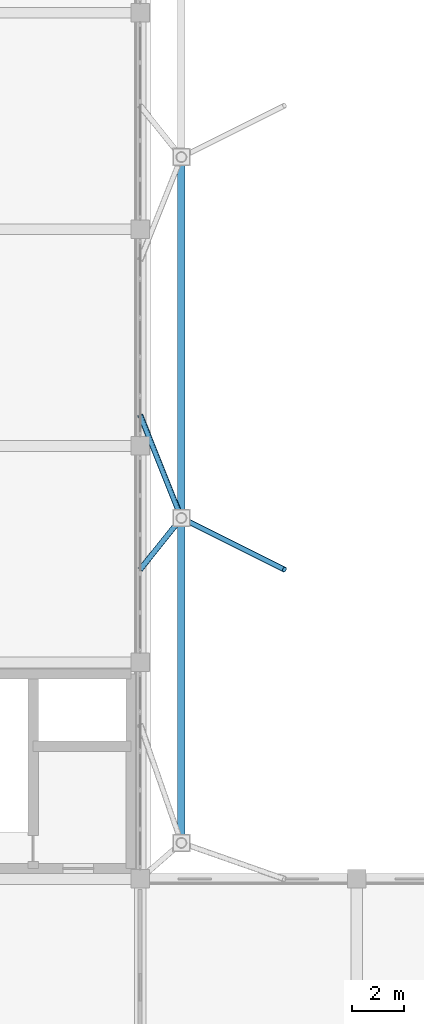
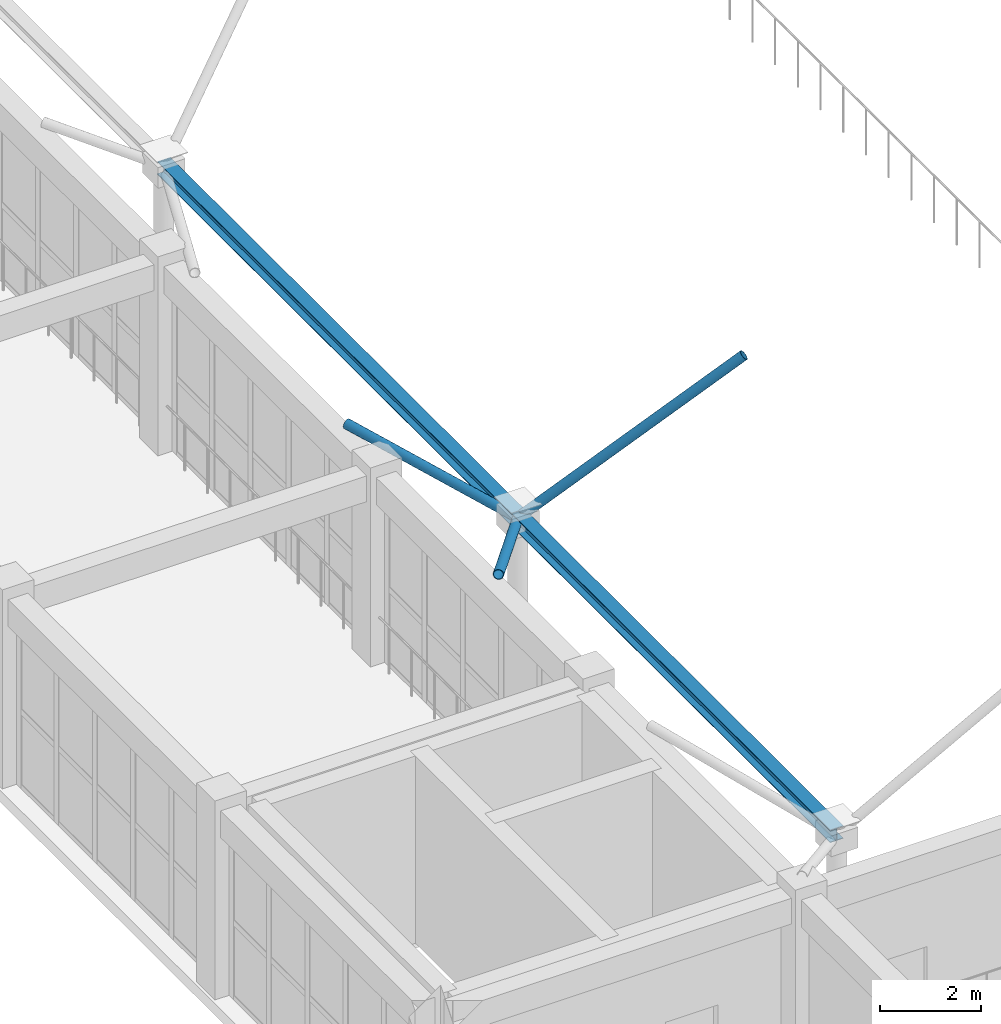
# One storey, part 95 of 158: 3 members, 2 beams.
"""IFC4 building model written with IfcOpenShell, lengths in metres."""

import ifcopenshell
import ifcopenshell.guid

model = None  # the IFC model being written
_history = None  # IfcOwnerHistory: only IFC2X3 demands one
_inside = {}  # id of a spatial element -> (the spatial element, [elements in it])
_under = {}  # id of a project, library or spatial element -> (it, [spatial elements below it])
_declared = {}  # id of a project -> (the project, [libraries it declares])
_typed = {}  # id of a type object -> (the type object, [elements of that type])
_made_of = {}  # id of a material, layer set ... -> (it, [elements and type objects made of it])


def new_model(schema):
    """Start an empty IFC model of exactly this schema.

    Asked for "IFC4X3", IfcOpenShell would pick the latest addendum, in which some entities
    have other attributes; the version numbers below select the first issue.
    IFC2X3 requires an IfcOwnerHistory on every rooted entity: one is made here for all.
    """
    global model, _history
    if schema == "IFC4X3":
        model = ifcopenshell.file(schema_version=(4, 3, 0, 0))
    else:
        model = ifcopenshell.file(schema=schema)
    _inside.clear()
    _under.clear()
    _declared.clear()
    _typed.clear()
    _made_of.clear()
    _history = None
    if model.schema == "IFC2X3":
        org = make("IfcOrganization", Name="unknown")
        user = make(
            "IfcPersonAndOrganization",
            ThePerson=make("IfcPerson", FamilyName="unknown"),
            TheOrganization=org,
        )
        app = make(
            "IfcApplication",
            ApplicationDeveloper=org,
            Version="unknown",
            ApplicationFullName="unknown",
            ApplicationIdentifier="unknown",
        )
        _history = make(
            "IfcOwnerHistory",
            OwningUser=user,
            OwningApplication=app,
            ChangeAction="ADDED",
            CreationDate=0,
        )
    return model


def make(cls, **values):
    """One entity of the class cls with the attributes given. An attribute that is None is left unset."""
    return model.create_entity(
        cls, **{name: value for name, value in values.items() if value is not None}
    )


def rooted(cls, **values):
    """An entity with a GlobalId (a new one), such as an element, a storey or a relation."""
    return make(cls, GlobalId=ifcopenshell.guid.new(), OwnerHistory=_history, **values)


def si_unit(unit_type, name, prefix=None):
    """IfcSIUnit, for example si_unit("LENGTHUNIT", "METRE", prefix="MILLI")."""
    return make("IfcSIUnit", UnitType=unit_type, Prefix=prefix, Name=name)


def assignment(units):
    """IfcUnitAssignment: the units of a project."""
    return None if units is None else make("IfcUnitAssignment", Units=units)


def point(xyz):
    """IfcCartesianPoint."""
    return None if xyz is None else make("IfcCartesianPoint", Coordinates=xyz)


def direction(xyz):
    """IfcDirection."""
    return None if xyz is None else make("IfcDirection", DirectionRatios=xyz)


def frame(location, z_axis=None, x_axis=None):
    """IfcAxis2Placement3D, a coordinate frame: its origin and axes. An axis left out is left unset."""
    return make(
        "IfcAxis2Placement3D",
        Location=point(location),
        Axis=direction(z_axis),
        RefDirection=direction(x_axis),
    )


def frame_2d(location, x_axis=None):
    """IfcAxis2Placement2D, a coordinate frame in the plane: its origin and x axis."""
    return make(
        "IfcAxis2Placement2D", Location=point(location), RefDirection=direction(x_axis)
    )


def origin():
    """The frame at (0, 0, 0) with its axes left unset."""
    return frame((0.0, 0.0, 0.0))


def origin_2d():
    """The frame at (0, 0) in the plane with its x axis left unset."""
    return frame_2d((0.0, 0.0))


def place(relative_to, where):
    """IfcLocalPlacement: puts the frame where relative to a parent placement (None: the world)."""
    return make(
        "IfcLocalPlacement", PlacementRelTo=relative_to, RelativePlacement=where
    )


def context(
    kind, dimensions, precision=None, world=None, true_north=None, identifier=None
):
    """IfcGeometricRepresentationContext, for example the 3D "Model" context."""
    return make(
        "IfcGeometricRepresentationContext",
        ContextIdentifier=identifier,
        ContextType=kind,
        CoordinateSpaceDimension=dimensions,
        Precision=precision,
        WorldCoordinateSystem=world,
        TrueNorth=true_north,
    )


def subcontext(parent, identifier, kind, view, scale=None):
    """IfcGeometricRepresentationSubContext, for example "Body" below "Model"."""
    return make(
        "IfcGeometricRepresentationSubContext",
        ContextIdentifier=identifier,
        ContextType=kind,
        ParentContext=parent,
        TargetScale=scale,
        TargetView=view,
    )


def project(units=None, contexts=None):
    """IfcProject with its units and contexts."""
    return rooted(
        "IfcProject",
        Name="project",
        RepresentationContexts=contexts,
        UnitsInContext=assignment(units),
    )


def spatial(cls, under=None, at=None, **own):
    """A site, building, storey or space (cls), placed at a placement, below another one or the project."""
    s = rooted(cls, ObjectPlacement=at, **own)
    if under is not None:
        _under.setdefault(under.id(), (under, []))[1].append(s)
    return s


def profile(cls, at=None, kind="AREA", **sizes):
    """A parametric profile (cls). Its sizes go by their IFC names, for example OverallWidth=200.0."""
    return make(cls, ProfileType=kind, Position=at, **sizes)


def hollow_circle(**sizes):
    """IfcCircleHollowProfileDef."""
    return profile("IfcCircleHollowProfileDef", **sizes)


def i_section(**sizes):
    """IfcIShapeProfileDef."""
    return profile("IfcIShapeProfileDef", **sizes)


def extrude(swept, where, along, depth):
    """IfcExtrudedAreaSolid: the profile swept, set in the frame where, extruded along a direction by depth."""
    return make(
        "IfcExtrudedAreaSolid",
        SweptArea=swept,
        Position=where,
        ExtrudedDirection=direction(along),
        Depth=depth,
    )


def shape(context_of_items, identifier, shape_type, items):
    """IfcShapeRepresentation: the items that make up one representation, for example the "Body"."""
    return make(
        "IfcShapeRepresentation",
        ContextOfItems=context_of_items,
        RepresentationIdentifier=identifier,
        RepresentationType=shape_type,
        Items=items,
    )


def material(Name=None, Category=None):
    """IfcMaterial."""
    return make("IfcMaterial", Name=Name, Category=Category)


def material_profile(
    of_material, cross_section, Name=None, Category=None, Priority=None
):
    """IfcMaterialProfile: a cross section and its material."""
    return make(
        "IfcMaterialProfile",
        Name=Name,
        Material=of_material,
        Profile=cross_section,
        Priority=Priority,
        Category=Category,
    )


def profile_set(profiles, Name=None, composite=None):
    """IfcMaterialProfileSet."""
    return make(
        "IfcMaterialProfileSet",
        Name=Name,
        MaterialProfiles=profiles,
        CompositeProfile=composite,
    )


def made_of(thing, what):
    """Note that an element or type object is made of a material, layer set ...; save() writes the relation."""
    if what is not None:
        _made_of.setdefault(what.id(), (what, []))[1].append(thing)
    return thing


def type_object(cls, material=None, **own):
    """A type object (cls), such as IfcWallType, which elements share."""
    return made_of(rooted(cls, **own), material)


def element(
    cls,
    number,
    at=None,
    inside=None,
    cuts=None,
    type_object=None,
    material=None,
    context=None,
    identifier="Body",
    shape_type=None,
    held_by="IfcProductDefinitionShape",
    body=None,
    shapes=None,
    **own,
):
    """One element of the class cls, such as IfcWall. Its Tag is "e" and its number.

    at: its placement. inside: the storey or other place that contains it. cuts: it is an
    opening in that element (IfcRelVoidsElement). A single representation is given by context,
    identifier, shape_type and body (its items); several are given by shapes. held_by: the class
    of the entity that holds the representations. save() writes the other relations.
    """
    e = rooted(cls, Tag="e%d" % number, ObjectPlacement=at, **own)
    if body is not None:
        shapes = [shape(context, identifier, shape_type, body)]
    if shapes is not None:
        e.Representation = make(held_by, Representations=shapes)
    if inside is not None:
        _inside.setdefault(inside.id(), (inside, []))[1].append(e)
    if cuts is not None:
        rooted(
            "IfcRelVoidsElement", RelatingBuildingElement=cuts, RelatedOpeningElement=e
        )
    if type_object is not None:
        _typed.setdefault(type_object.id(), (type_object, []))[1].append(e)
    return made_of(e, material)


def aggregate(whole, parts):
    """IfcRelAggregates: a whole, such as a stair, and the parts it consists of."""
    return rooted("IfcRelAggregates", RelatingObject=whole, RelatedObjects=parts)


def save(model, path):
    """Write the relations noted so far, then the file.

    IfcRelAggregates (storeys below a building ...), IfcRelContainedInSpatialStructure (elements
    in a storey), IfcRelDefinesByType, IfcRelAssociatesMaterial and IfcRelDeclares: one each for
    every whole, place, type object, material and project.
    """
    for whole, parts in _under.values():
        aggregate(whole, parts)
    for where, things in _inside.values():
        rooted(
            "IfcRelContainedInSpatialStructure",
            RelatedElements=things,
            RelatingStructure=where,
        )
    for kind, things in _typed.values():
        rooted("IfcRelDefinesByType", RelatedObjects=things, RelatingType=kind)
    for what, things in _made_of.values():
        rooted("IfcRelAssociatesMaterial", RelatedObjects=things, RelatingMaterial=what)
    for by, libraries in _declared.values():
        rooted("IfcRelDeclares", RelatingContext=by, RelatedDefinitions=libraries)
    model.write(path)


model = new_model("IFC4")

# Units and contexts
model_context = context("Model", 3, precision=1e-05, world=origin(), true_north=direction((0.0, 1.0)))
body_context = subcontext(model_context, "Body", "Model", "MODEL_VIEW")
ifc_project = project(units=[si_unit("LENGTHUNIT", "METRE"), si_unit("AREAUNIT", "SQUARE_METRE"), si_unit("VOLUMEUNIT", "CUBIC_METRE"), si_unit("PLANEANGLEUNIT", "RADIAN"), si_unit("MASSUNIT", "GRAM", prefix="KILO")], contexts=[model_context])

# Site, building, storey
site_placement = place(None, origin())
site = spatial("IfcSite", under=ifc_project, at=site_placement, CompositionType="ELEMENT")
building_placement = place(site_placement, origin())
building = spatial("IfcBuilding", under=site, at=building_placement, Name="Trelvath General Hospital", CompositionType="ELEMENT")
storey_placement = place(building_placement, frame((0.0, 0.0, 8.10009765625)))
storey = spatial("IfcBuildingStorey", under=building, at=storey_placement, Name="L02", CompositionType="ELEMENT", Elevation=8.10009765625)

# Beams
ifc_material_1 = material(Name="Steel S355", Category="steel")
ifc_material_profile_1 = material_profile(ifc_material_1, i_section(OverallWidth=0.300048828125, OverallDepth=0.31005859375, WebThickness=0.009033203125, FlangeThickness=0.015380859375, at=origin_2d()), Name="HEA320")
ifc_profile_set_1 = profile_set([ifc_material_profile_1], Name="Steel S355")
beam_type = type_object("IfcBeamType", Name="RingBeam HEA320", PredefinedType="BEAM", material=ifc_profile_set_1)
beam_1_placement = place(storey_placement, frame((144.39990234375, 26.60009765625, 4.39990234375), z_axis=(0.0, 1.0, 0.0), x_axis=(-1.0, 0.0, 0.0)))
element("IfcBeam", 1, at=beam_1_placement, inside=storey, type_object=beam_type, Name="Space Frame Tree Tie Beam W1", PredefinedType="BEAM", context=body_context, shape_type="SweptSolid", body=[
    extrude(i_section(OverallWidth=0.300048828125, OverallDepth=0.31005859375, WebThickness=0.009033203125, FlangeThickness=0.015380859375, at=origin_2d()), origin(), (0.0, 0.0, 1.0), 12.599853515625),
])
beam_2_placement = place(storey_placement, frame((144.39990234375, 39.199951171875, 4.39990234375), z_axis=(0.0, 1.0, 0.0), x_axis=(-1.0, 0.0, 0.0)))
element("IfcBeam", 2, at=beam_2_placement, inside=storey, type_object=beam_type, Name="Space Frame Tree Tie Beam W2", PredefinedType="BEAM", context=body_context, shape_type="SweptSolid", body=[
    extrude(i_section(OverallWidth=0.300048828125, OverallDepth=0.31005859375, WebThickness=0.009033203125, FlangeThickness=0.015380859375, at=origin_2d()), origin(), (0.0, 0.0, 1.0), 14.0),
])

# Members
ifc_material_2 = material(Name="Steel S355", Category="steel")
ifc_material_profile_2 = material_profile(ifc_material_2, hollow_circle(Radius=0.109619140625, WallThickness=0.010009765625, at=origin_2d()), Name="CHS219.1x10.0")
ifc_profile_set_2 = profile_set([ifc_material_profile_2], Name="Steel S355")
member_type = type_object("IfcMemberType", Name="TreeStrut CHS219", PredefinedType="STRUT", material=ifc_profile_set_2)
member_1_placement = place(storey_placement, frame((144.39990234375, 39.199951171875, 4.39990234375), z_axis=(-0.617182004562, -0.771548143044, 0.15427195536), x_axis=(0.780896708461, -0.624660172186, 0.0)))
element("IfcMember", 3, at=member_1_placement, inside=storey, type_object=member_type, Name="Branching Tree Strut TS-04", PredefinedType="STRUT", context=body_context, shape_type="SweptSolid", body=[
    extrude(hollow_circle(Radius=0.109619140625, WallThickness=0.010009765625, at=origin_2d()), origin(), (0.0, 0.0, 1.0), 2.59228515625),
])
member_2_placement = place(storey_placement, frame((144.39990234375, 39.199951171875, 4.39990234375), z_axis=(-0.369771675482, 0.924513830475, 0.092428811909), x_axis=(-0.92848841534, -0.371361363875, 0.0)))
element("IfcMember", 4, at=member_2_placement, inside=storey, type_object=member_type, Name="Branching Tree Strut TS-05", PredefinedType="STRUT", context=body_context, shape_type="SweptSolid", body=[
    extrude(hollow_circle(Radius=0.109619140625, WallThickness=0.010009765625, at=origin_2d()), origin(), (0.0, 0.0, 1.0), 4.32666015625),
])
member_3_placement = place(storey_placement, frame((144.39990234375, 39.199951171875, 4.39990234375), z_axis=(0.686617993239, -0.34330899662, 0.64085463578), x_axis=(0.4472135955, 0.894427191, 0.0)))
element("IfcMember", 5, at=member_3_placement, inside=storey, type_object=member_type, Name="Branching Tree Strut TS-06", PredefinedType="STRUT", context=body_context, shape_type="SweptSolid", body=[
    extrude(hollow_circle(Radius=0.109619140625, WallThickness=0.010009765625, at=origin_2d()), origin(), (0.0, 0.0, 1.0), 5.82568359375),
])

save(model, "model.ifc")
